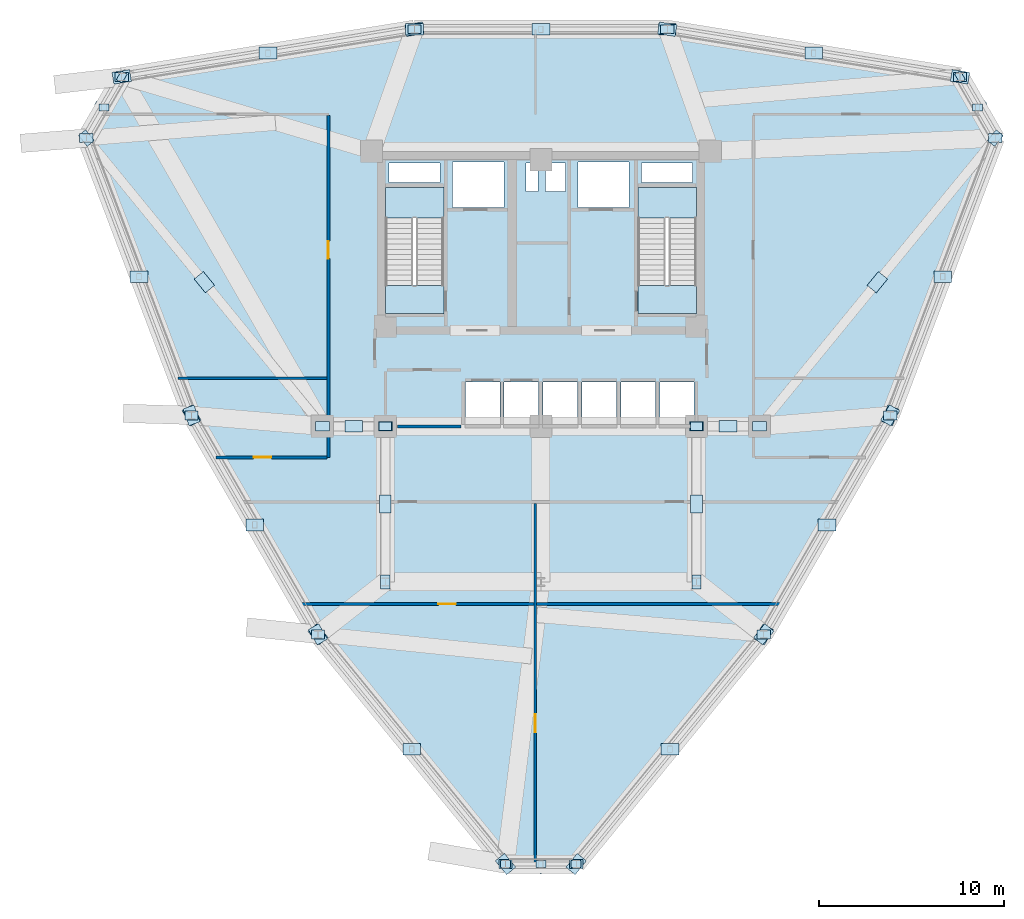
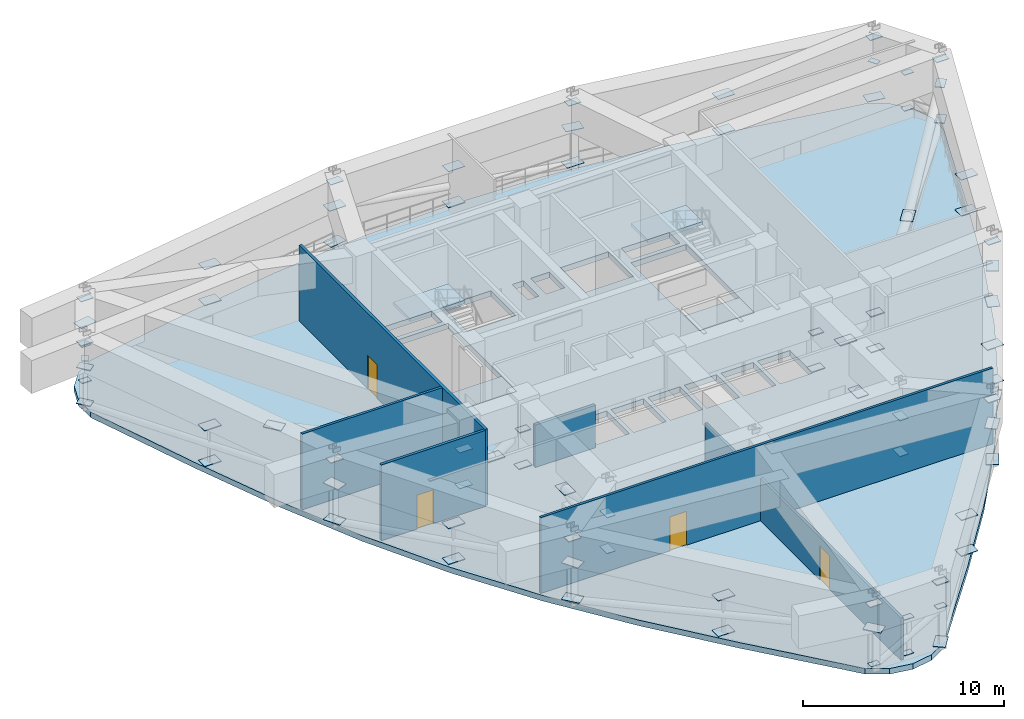
# One storey, part 7 of 13: 78 plates, 6 walls, 5 slabs, 4 doors, 4 openings, 2 elements without a shape of their own.
"""IFC4 building model written with IfcOpenShell, lengths in metres."""

from ifc_helpers import new_model, si_unit, derived_unit, direction, frame, frame_2d, origin, origin_2d, place, context, subcontext, project, spatial, polyline, rectangle, outline, extrude, source, transform, mapped, material, layer, layer_set, type_object, element, fill, aggregate, save


model = new_model("IFC4")

# Units and contexts
model_context = context("Model", 3, precision=1e-05, world=origin(), true_north=direction((0.0, 1.0)))
body_context = subcontext(model_context, "Body", "Model", "MODEL_VIEW")
ifc_project = project(units=[si_unit("LENGTHUNIT", "METRE"), si_unit("AREAUNIT", "SQUARE_METRE"), si_unit("VOLUMEUNIT", "CUBIC_METRE"), si_unit("PLANEANGLEUNIT", "RADIAN"), si_unit("MASSUNIT", "GRAM", prefix="KILO"), derived_unit("THERMALTRANSMITTANCEUNIT", [(si_unit("POWERUNIT", "WATT"), 1), (si_unit("LENGTHUNIT", "METRE"), -2), (si_unit("THERMODYNAMICTEMPERATUREUNIT", "KELVIN"), -1)])], contexts=[model_context])

# Site, building, storey
site_placement = place(None, origin())
site = spatial("IfcSite", under=ifc_project, at=site_placement, CompositionType="ELEMENT")
building_placement = place(site_placement, origin())
building = spatial("IfcBuilding", under=site, at=building_placement, Name="Korsvarv Bourse and Concert Hall", CompositionType="ELEMENT")
storey_placement = place(building_placement, frame((0.0, 0.0, 131.39990234375)))
storey = spatial("IfcBuildingStorey", under=building, at=storey_placement, Name="L33", CompositionType="ELEMENT", Elevation=131.39990234375)

# Slabs
ifc_material_1 = material(Name="Precast concrete C45/55", Category="concrete")
ifc_layer_1 = layer(ifc_material_1, 0.199951171875)
ifc_layer_set_1 = layer_set([ifc_layer_1], Name="Precast concrete C45/55")
slab_type_1 = type_object("IfcSlabType", Name="SLB-FLND-T", PredefinedType="LANDING", material=ifc_layer_set_1)
slab_1_placement = place(storey_placement, frame((0.0, 0.0, -0.199951171875)))
element("IfcSlab", 1, at=slab_1_placement, inside=storey, type_object=slab_type_1, Name="L33 Stair ST-T1 Floor Landing Slab", PredefinedType="LANDING", context=body_context, shape_type="SweptSolid", body=[
    extrude(outline(polyline([(30.760009765625, 38.5), (30.760009765625, 40.0), (27.60009765625, 40.0), (27.60009765625, 38.5), (30.760009765625, 38.5)])), origin(), (0.0, 0.0, 1.0), 0.199951171875),
])
slab_2_placement = place(storey_placement, frame((0.0, 0.0, -0.199951171875)))
element("IfcSlab", 2, at=slab_2_placement, inside=storey, type_object=slab_type_1, Name="L33 Stair ST-T2 Floor Landing Slab", PredefinedType="LANDING", context=body_context, shape_type="SweptSolid", body=[
    extrude(outline(polyline([(44.39990234375, 38.5), (44.39990234375, 40.0), (41.239990234375, 40.0), (41.239990234375, 38.5), (44.39990234375, 38.5)])), origin(), (0.0, 0.0, 1.0), 0.199951171875),
])
ifc_material_2 = material(Name="Concrete C55/67", Category="concrete")
ifc_layer_2 = layer(ifc_material_2, 0.340087890625)
ifc_layer_set_2 = layer_set([ifc_layer_2], Name="Concrete C55/67")
slab_type_2 = type_object("IfcSlabType", Name="SLB-REF", PredefinedType="FLOOR", material=ifc_layer_set_2)
slab_3_placement = place(storey_placement, frame((0.0, 0.0, -0.33984375)))
element("IfcSlab", 3, at=slab_3_placement, inside=storey, type_object=slab_type_2, Name="L33 tower structural floor slab", PredefinedType="FLOOR", context=body_context, shape_type="SweptSolid", body=[
    extrude(outline(polyline([(59.994140625, 46.2314453125), (58.197265625, 41.2158203125), (56.282958984375, 36.29345703125), (54.14501953125, 31.52001953125), (51.7109375, 26.92919921875), (48.9521484375, 22.52587890625), (45.887451171875, 18.287841796875), (42.58154296875, 14.168701171875), (39.13623046875, 10.104736328125), (39.133544921875, 10.101318359375), (38.251708984375, 9.050537109375), (37.197998046875, 8.442138671875), (36.0, 8.23095703125), (34.802001953125, 8.442138671875), (33.748291015625, 9.050537109375), (32.866455078125, 10.101318359375), (32.86376953125, 10.104736328125), (29.41845703125, 14.168701171875), (26.112548828125, 18.287841796875), (23.0478515625, 22.52587890625), (20.2890625, 26.92919921875), (17.85498046875, 31.52001953125), (15.717041015625, 36.29345703125), (13.802734375, 41.2158203125), (12.005859375, 46.2314453125), (12.00439453125, 46.235595703125), (11.53515625, 47.524658203125), (11.53515625, 48.7412109375), (11.951416015625, 49.884521484375), (12.7333984375, 50.81640625), (13.786865234375, 51.4248046875), (15.1376953125, 51.6630859375), (15.14208984375, 51.663818359375), (20.384521484375, 52.615478515625), (25.6044921875, 53.4189453125), (30.807373046875, 53.953857421875), (36.0, 54.141357421875), (41.192626953125, 53.953857421875), (46.3955078125, 53.4189453125), (51.615478515625, 52.615478515625), (56.85791015625, 51.663818359375), (56.8623046875, 51.6630859375), (58.213134765625, 51.4248046875), (59.2666015625, 50.81640625), (60.048583984375, 49.884521484375), (60.46484375, 48.7412109375), (60.46484375, 47.524658203125), (59.99560546875, 46.235595703125), (59.994140625, 46.2314453125)]), holes=[polyline([(30.760009765625, 38.5), (30.760009765625, 45.300048828125), (27.60009765625, 45.300048828125), (27.60009765625, 38.5), (30.760009765625, 38.5)]), polyline([(44.39990234375, 38.5), (44.39990234375, 45.300048828125), (41.239990234375, 45.300048828125), (41.239990234375, 38.5), (44.39990234375, 38.5)]), polyline([(31.239990234375, 44.219970703125), (34.0, 44.219970703125), (34.0, 46.679931640625), (31.239990234375, 46.679931640625), (31.239990234375, 44.219970703125)]), polyline([(38.0, 44.219970703125), (40.760009765625, 44.219970703125), (40.760009765625, 46.679931640625), (38.0, 46.679931640625), (38.0, 44.219970703125)]), polyline([(31.919921875, 32.52001953125), (33.780029296875, 32.52001953125), (33.780029296875, 34.780029296875), (31.919921875, 34.780029296875), (31.919921875, 32.52001953125)]), polyline([(34.02001953125, 32.52001953125), (35.8798828125, 32.52001953125), (35.8798828125, 34.780029296875), (34.02001953125, 34.780029296875), (34.02001953125, 32.52001953125)]), polyline([(36.1201171875, 32.52001953125), (37.97998046875, 32.52001953125), (37.97998046875, 34.780029296875), (36.1201171875, 34.780029296875), (36.1201171875, 32.52001953125)]), polyline([(38.219970703125, 32.52001953125), (40.080078125, 32.52001953125), (40.080078125, 34.780029296875), (38.219970703125, 34.780029296875), (38.219970703125, 32.52001953125)]), polyline([(40.320068359375, 32.52001953125), (42.179931640625, 32.52001953125), (42.179931640625, 34.780029296875), (40.320068359375, 34.780029296875), (40.320068359375, 32.52001953125)]), polyline([(42.419921875, 32.52001953125), (44.280029296875, 32.52001953125), (44.280029296875, 34.780029296875), (42.419921875, 34.780029296875), (42.419921875, 32.52001953125)]), polyline([(27.800048828125, 45.56005859375), (30.56005859375, 45.56005859375), (30.56005859375, 46.6201171875), (27.800048828125, 46.6201171875), (27.800048828125, 45.56005859375)]), polyline([(41.43994140625, 45.56005859375), (44.199951171875, 45.56005859375), (44.199951171875, 46.6201171875), (41.43994140625, 46.6201171875), (41.43994140625, 45.56005859375)]), polyline([(35.199951171875, 45.080078125), (35.840087890625, 45.080078125), (35.840087890625, 46.6201171875), (35.199951171875, 46.6201171875), (35.199951171875, 45.080078125)]), polyline([(36.239990234375, 45.080078125), (37.320068359375, 45.080078125), (37.320068359375, 46.6201171875), (36.239990234375, 46.6201171875), (36.239990234375, 45.080078125)])]), origin(), (0.0, 0.0, 1.0), 0.33984375),
])

# Stair, slab
stair_type = type_object("IfcStairType", Name="STR-TYPE-02", PredefinedType="HALF_TURN_STAIR", material=ifc_material_1)
stair_1_placement = place(storey_placement, origin())
stair_1 = element("IfcStair", 4, at=stair_1_placement, inside=storey, type_object=stair_type, Name="L33 Tower West Exit Stair ST-T1", PredefinedType="HALF_TURN_STAIR")
ifc_layer_3 = layer(ifc_material_1, 0.199951171875)
ifc_layer_set_3 = layer_set([ifc_layer_3], Name="Precast concrete C45/55")
slab_type_3 = type_object("IfcSlabType", Name="SLB-ST-LND", PredefinedType="LANDING", material=ifc_layer_set_3)
slab_4_placement = place(storey_placement, frame((0.0, 0.0, 2.2001953125)))
slab_4 = element("IfcSlab", 5, at=slab_4_placement, type_object=slab_type_3, Name="ST-T1 landing 1", PredefinedType="LANDING", context=body_context, shape_type="SweptSolid", body=[
    extrude(outline(polyline([(30.760009765625, 43.639892578125), (30.760009765625, 45.300048828125), (27.60009765625, 45.300048828125), (27.60009765625, 43.639892578125), (30.760009765625, 43.639892578125)])), origin(), (0.0, 0.0, 1.0), 0.199951171875),
])
aggregate(stair_1, [slab_4])

stair_2_placement = place(storey_placement, origin())
stair_2 = element("IfcStair", 6, at=stair_2_placement, inside=storey, type_object=stair_type, Name="L33 Tower East Exit Stair ST-T2", PredefinedType="HALF_TURN_STAIR")
slab_5_placement = place(storey_placement, frame((0.0, 0.0, 2.2001953125)))
slab_5 = element("IfcSlab", 7, at=slab_5_placement, type_object=slab_type_3, Name="ST-T2 landing 1", PredefinedType="LANDING", context=body_context, shape_type="SweptSolid", body=[
    extrude(outline(polyline([(44.39990234375, 43.639892578125), (44.39990234375, 45.300048828125), (41.239990234375, 45.300048828125), (41.239990234375, 43.639892578125), (44.39990234375, 43.639892578125)])), origin(), (0.0, 0.0, 1.0), 0.199951171875),
])
aggregate(stair_2, [slab_5])

# Plates
ifc_material_3 = material(Name="Steel S460", Category="steel")
ifc_layer_4 = layer(ifc_material_3, 0.033935546875)
ifc_layer_set_4 = layer_set([ifc_layer_4], Name="Steel S460")
plate_type_1 = type_object("IfcPlateType", Name="PLT-KN5", PredefinedType="SHEET", material=ifc_layer_set_4)
shared_shape_1 = source(origin(), body_context, "Body", "SweptSolid", [
    extrude(rectangle(XDim=0.719970703125, YDim=0.47998046875, at=origin_2d()), origin(), (0.0, 0.0, 1.0), 0.033935546875),
])
for number, where, z_axis, x_axis, name in (
    (8, (60.541748046875, 47.966064453125, 4.0029296875), (0.0, 0.0, 1.0), (1.0, 0.0, 0.0), "L33 Block-Shift Transfer Splice Plate KN5-1"),
    (9, (58.6337890625, 51.270751953125, 4.0029296875), (0.0, 0.0, 1.0), (1.0, 0.0, 0.0), "L33 Block-Shift Transfer Splice Plate KN5-2"),
    (10, (42.82666015625, 53.84130859375, 4.0029296875), (0.0, 0.0, 1.0), (1.0, 0.0, 0.0), "L33 Block-Shift Transfer Splice Plate KN5-3"),
    (11, (29.17333984375, 53.84130859375, 4.0029296875), (0.0, 0.0, 1.0), (1.0, 0.0, 0.0), "L33 Block-Shift Transfer Splice Plate KN5-4"),
    (12, (13.3662109375, 51.270751953125, 4.0029296875), (0.0, 0.0, 1.0), (1.0, 0.0, 0.0), "L33 Block-Shift Transfer Splice Plate KN5-5"),
    (13, (11.458251953125, 47.966064453125, 4.0029296875), (0.0, 0.0, 1.0), (1.0, 0.0, 0.0), "L33 Block-Shift Transfer Splice Plate KN5-6"),
    (14, (17.1357421875, 32.991455078125, 4.0029296875), (0.0, 0.0, 1.0), (1.0, 0.0, 0.0), "L33 Block-Shift Transfer Splice Plate KN5-7"),
    (15, (23.96240234375, 21.167236328125, 4.0029296875), (0.0, 0.0, 1.0), (1.0, 0.0, 0.0), "L33 Block-Shift Transfer Splice Plate KN5-8"),
    (16, (34.092041015625, 8.76318359375, 4.0029296875), (0.0, 0.0, 1.0), (1.0, 0.0, 0.0), "L33 Block-Shift Transfer Splice Plate KN5-9"),
    (17, (37.907958984375, 8.76318359375, 4.0029296875), (0.0, 0.0, 1.0), (1.0, 0.0, 0.0), "L33 Block-Shift Transfer Splice Plate KN5-10"),
    (18, (48.03759765625, 21.167236328125, 4.0029296875), (0.0, 0.0, 1.0), (1.0, 0.0, 0.0), "L33 Block-Shift Transfer Splice Plate KN5-11"),
    (19, (54.8642578125, 32.991455078125, 4.0029296875), (0.0, 0.0, 1.0), (1.0, 0.0, 0.0), "L33 Block-Shift Transfer Splice Plate KN5-12"),
):
    element("IfcPlate", number, at=place(storey_placement, frame(where, z_axis=z_axis, x_axis=x_axis)), inside=storey, type_object=plate_type_1, Name=name, PredefinedType="SHEET", context=body_context, shape_type="MappedRepresentation", body=[
        mapped(shared_shape_1, transform((0.0, 0.0, 0.0), scale=1.0)),
    ])
ifc_layer_5 = layer(ifc_material_3, 0.034912109375)
ifc_layer_set_5 = layer_set([ifc_layer_5], Name="Steel S460")
plate_type_2 = type_object("IfcPlateType", Name="PLT-KN1", PredefinedType="SHEET", material=ifc_layer_set_5)
shared_shape_2 = source(origin(), body_context, "Body", "SweptSolid", [
    extrude(rectangle(XDim=0.75, YDim=0.5, at=origin_2d()), origin(), (0.0, 0.0, 1.0), 0.034912109375),
])
for number, where, z_axis, x_axis, name in (
    (20, (27.60009765625, 32.39990234375, 0.33251953125), (0.0, 0.0, 1.0), (1.0, 0.0, 0.0), "L33 node cap plate KN1"),
    (21, (24.199951171875, 32.39990234375, 0.33251953125), (0.0, 0.0, 1.0), (1.0, 0.0, 0.0), "L33 node cap plate KN1"),
    (22, (24.199951171875, 32.39990234375, 2.50244140625), (0.0, 0.0, 1.0), (1.0, 0.0, 0.0), "L33 node cap plate KN1"),
    (23, (11.458251953125, 47.966064453125, 0.33251953125), (0.0, 0.0, 1.0), (-0.633380872628, 0.773840209727, 0.0), "L33 node cap plate KN1"),
    (24, (11.458251953125, 47.966064453125, 2.50244140625), (0.0, 0.0, 1.0), (-0.633380872628, 0.773840209727, 0.0), "L33 node cap plate KN1"),
    (25, (44.39990234375, 32.39990234375, 0.33251953125), (0.0, 0.0, 1.0), (1.0, 0.0, 0.0), "L33 node cap plate KN1"),
    (26, (47.800048828125, 32.39990234375, 0.33251953125), (0.0, 0.0, 1.0), (1.0, 0.0, 0.0), "L33 node cap plate KN1"),
    (27, (47.800048828125, 32.39990234375, 2.50244140625), (0.0, 0.0, 1.0), (1.0, 0.0, 0.0), "L33 node cap plate KN1"),
    (28, (60.541748046875, 47.966064453125, 0.33251953125), (0.0, 0.0, 1.0), (0.633380872628, 0.773840209727, 0.0), "L33 node cap plate KN1"),
    (29, (60.541748046875, 47.966064453125, 2.50244140625), (0.0, 0.0, 1.0), (0.633380872628, 0.773840209727, 0.0), "L33 node cap plate KN1"),
    (30, (27.60009765625, 24.0, 0.33251953125), (0.0, 0.0, 1.0), (0.0, 1.0, 0.0), "L33 node cap plate KN1"),
    (31, (27.60009765625, 24.0, 2.50244140625), (0.0, 0.0, 1.0), (0.0, 1.0, 0.0), "L33 node cap plate KN1"),
    (32, (44.39990234375, 24.0, 0.33251953125), (0.0, 0.0, 1.0), (0.0, 1.0, 0.0), "L33 node cap plate KN1"),
    (33, (44.39990234375, 24.0, 2.50244140625), (0.0, 0.0, 1.0), (0.0, 1.0, 0.0), "L33 node cap plate KN1"),
):
    element("IfcPlate", number, at=place(storey_placement, frame(where, z_axis=z_axis, x_axis=x_axis)), inside=storey, type_object=plate_type_2, Name=name, PredefinedType="SHEET", context=body_context, shape_type="MappedRepresentation", body=[
        mapped(shared_shape_2, transform((0.0, 0.0, 0.0), scale=1.0)),
    ])
ifc_layer_6 = layer(ifc_material_3, 0.028076171875)
ifc_layer_set_6 = layer_set([ifc_layer_6], Name="Steel S460")
plate_type_3 = type_object("IfcPlateType", Name="PLT-KN3", PredefinedType="SHEET", material=ifc_layer_set_6)
shared_shape_3 = source(origin(), body_context, "Body", "SweptSolid", [
    extrude(rectangle(XDim=0.9599609375, YDim=0.639892578125, at=origin_2d()), origin(), (0.0, 0.0, 1.0), 0.028076171875),
])
for number, where, z_axis, x_axis, name in (
    (34, (25.89990234375, 32.39990234375, 1.4208984375), (0.0, 0.0, 1.0), (1.0, 0.0, 0.0), "L33 node cap plate KN3"),
    (35, (17.8291015625, 40.18310546875, 1.4208984375), (0.0, 0.0, 1.0), (-0.633380872628, 0.773840209727, 0.0), "L33 node cap plate KN3"),
    (36, (46.10009765625, 32.39990234375, 1.4208984375), (0.0, 0.0, 1.0), (1.0, 0.0, 0.0), "L33 node cap plate KN3"),
    (37, (54.1708984375, 40.18310546875, 1.4208984375), (0.0, 0.0, 1.0), (0.633380872628, 0.773840209727, 0.0), "L33 node cap plate KN3"),
    (38, (27.60009765625, 28.199951171875, 1.4208984375), (0.0, 0.0, 1.0), (0.0, 1.0, 0.0), "L33 node cap plate KN3"),
    (39, (44.39990234375, 28.199951171875, 1.4208984375), (0.0, 0.0, 1.0), (0.0, 1.0, 0.0), "L33 node cap plate KN3"),
    (40, (58.6337890625, 51.270751953125, 0.3359375), (0.0, 0.0, 1.0), (-0.987024406397, 0.160570299793, 0.0), "L33 node cap plate KN3"),
    (41, (42.82666015625, 53.84130859375, 2.505859375), (0.0, 0.0, 1.0), (-0.987024406397, 0.160570299793, 0.0), "L33 node cap plate KN3"),
    (42, (50.730224609375, 52.555908203125, 0.3359375), (0.0, 0.0, 1.0), (1.0, 0.0, 0.0), "L33 node cap plate KN3"),
    (43, (50.730224609375, 52.555908203125, 2.505859375), (0.0, 0.0, 1.0), (1.0, 0.0, 0.0), "L33 node cap plate KN3"),
    (44, (42.82666015625, 53.84130859375, 0.3359375), (0.0, 0.0, 1.0), (1.0, 0.0, 0.0), "L33 node cap plate KN3"),
    (45, (29.17333984375, 53.84130859375, 2.505859375), (0.0, 0.0, 1.0), (1.0, 0.0, 0.0), "L33 node cap plate KN3"),
    (46, (36.0, 53.84130859375, 0.3359375), (0.0, 0.0, 1.0), (1.0, 0.0, 0.0), "L33 node cap plate KN3"),
    (47, (36.0, 53.84130859375, 2.505859375), (0.0, 0.0, 1.0), (1.0, 0.0, 0.0), "L33 node cap plate KN3"),
    (48, (29.17333984375, 53.84130859375, 0.3359375), (0.0, 0.0, 1.0), (0.987024406397, 0.160570299793, 0.0), "L33 node cap plate KN3"),
    (49, (13.3662109375, 51.270751953125, 2.505859375), (0.0, 0.0, 1.0), (0.987024406397, 0.160570299793, 0.0), "L33 node cap plate KN3"),
    (50, (21.269775390625, 52.555908203125, 0.3359375), (0.0, 0.0, 1.0), (1.0, 0.0, 0.0), "L33 node cap plate KN3"),
    (51, (21.269775390625, 52.555908203125, 2.505859375), (0.0, 0.0, 1.0), (1.0, 0.0, 0.0), "L33 node cap plate KN3"),
    (52, (17.1357421875, 32.991455078125, 2.505859375), (0.0, 0.0, 1.0), (-0.354454244484, 0.935073359992, 0.0), "L33 node cap plate KN3"),
    (53, (14.296875, 40.478759765625, 0.3359375), (0.0, 0.0, 1.0), (1.0, 0.0, 0.0), "L33 node cap plate KN3"),
    (54, (14.296875, 40.478759765625, 2.505859375), (0.0, 0.0, 1.0), (1.0, 0.0, 0.0), "L33 node cap plate KN3"),
    (55, (17.1357421875, 32.991455078125, 0.3359375), (0.0, 0.0, 1.0), (-0.5, 0.866025403784, 0.0), "L33 node cap plate KN3"),
    (56, (23.96240234375, 21.167236328125, 2.505859375), (0.0, 0.0, 1.0), (-0.5, 0.866025403784, 0.0), "L33 node cap plate KN3"),
    (57, (20.549072265625, 27.079345703125, 0.3359375), (0.0, 0.0, 1.0), (1.0, 0.0, 0.0), "L33 node cap plate KN3"),
    (58, (20.549072265625, 27.079345703125, 2.505859375), (0.0, 0.0, 1.0), (1.0, 0.0, 0.0), "L33 node cap plate KN3"),
    (59, (23.96240234375, 21.167236328125, 0.3359375), (0.0, 0.0, 1.0), (-0.632570161913, 0.774503060199, 0.0), "L33 node cap plate KN3"),
    (60, (34.092041015625, 8.76318359375, 2.505859375), (0.0, 0.0, 1.0), (-0.632570161913, 0.774503060199, 0.0), "L33 node cap plate KN3"),
    (61, (29.027099609375, 14.965087890625, 0.3359375), (0.0, 0.0, 1.0), (1.0, 0.0, 0.0), "L33 node cap plate KN3"),
    (62, (29.027099609375, 14.965087890625, 2.505859375), (0.0, 0.0, 1.0), (1.0, 0.0, 0.0), "L33 node cap plate KN3"),
    (63, (37.907958984375, 8.76318359375, 0.3359375), (0.0, 0.0, 1.0), (0.632570161913, 0.774503060199, 0.0), "L33 node cap plate KN3"),
    (64, (48.03759765625, 21.167236328125, 2.505859375), (0.0, 0.0, 1.0), (0.632570161913, 0.774503060199, 0.0), "L33 node cap plate KN3"),
    (65, (42.972900390625, 14.965087890625, 0.3359375), (0.0, 0.0, 1.0), (1.0, 0.0, 0.0), "L33 node cap plate KN3"),
    (66, (42.972900390625, 14.965087890625, 2.505859375), (0.0, 0.0, 1.0), (1.0, 0.0, 0.0), "L33 node cap plate KN3"),
    (67, (48.03759765625, 21.167236328125, 0.3359375), (0.0, 0.0, 1.0), (0.5, 0.866025403784, 0.0), "L33 node cap plate KN3"),
    (68, (54.8642578125, 32.991455078125, 2.505859375), (0.0, 0.0, 1.0), (0.5, 0.866025403784, 0.0), "L33 node cap plate KN3"),
    (69, (51.450927734375, 27.079345703125, 0.3359375), (0.0, 0.0, 1.0), (1.0, 0.0, 0.0), "L33 node cap plate KN3"),
    (70, (51.450927734375, 27.079345703125, 2.505859375), (0.0, 0.0, 1.0), (1.0, 0.0, 0.0), "L33 node cap plate KN3"),
    (71, (54.8642578125, 32.991455078125, 0.3359375), (0.0, 0.0, 1.0), (0.354454244484, 0.935073359992, 0.0), "L33 node cap plate KN3"),
    (72, (57.703125, 40.478759765625, 0.3359375), (0.0, 0.0, 1.0), (1.0, 0.0, 0.0), "L33 node cap plate KN3"),
    (73, (57.703125, 40.478759765625, 2.505859375), (0.0, 0.0, 1.0), (1.0, 0.0, 0.0), "L33 node cap plate KN3"),
):
    element("IfcPlate", number, at=place(storey_placement, frame(where, z_axis=z_axis, x_axis=x_axis)), inside=storey, type_object=plate_type_3, Name=name, PredefinedType="SHEET", context=body_context, shape_type="MappedRepresentation", body=[
        mapped(shared_shape_3, transform((0.0, 0.0, 0.0), scale=1.0)),
    ])
ifc_layer_7 = layer(ifc_material_3, 0.031982421875)
ifc_layer_set_7 = layer_set([ifc_layer_7], Name="Steel S460")
plate_type_4 = type_object("IfcPlateType", Name="PLT-KN2", PredefinedType="SHEET", material=ifc_layer_set_7)
shared_shape_4 = source(origin(), body_context, "Body", "SweptSolid", [
    extrude(rectangle(XDim=0.659912109375, YDim=0.43994140625, at=origin_2d()), origin(), (0.0, 0.0, 1.0), 0.031982421875),
])
for number, where, z_axis, x_axis, name in (
    (74, (27.60009765625, 32.39990234375, 2.50390625), (0.0, 0.0, 1.0), (1.0, 0.0, 0.0), "L33 node cap plate KN2"),
    (75, (44.39990234375, 32.39990234375, 2.50390625), (0.0, 0.0, 1.0), (1.0, 0.0, 0.0), "L33 node cap plate KN2"),
):
    element("IfcPlate", number, at=place(storey_placement, frame(where, z_axis=z_axis, x_axis=x_axis)), inside=storey, type_object=plate_type_4, Name=name, PredefinedType="SHEET", context=body_context, shape_type="MappedRepresentation", body=[
        mapped(shared_shape_4, transform((0.0, 0.0, 0.0), scale=1.0)),
    ])
ifc_layer_8 = layer(ifc_material_3, 0.02587890625)
ifc_layer_set_8 = layer_set([ifc_layer_8], Name="Steel S460")
plate_type_5 = type_object("IfcPlateType", Name="PLT-KN4", PredefinedType="SHEET", material=ifc_layer_set_8)
shared_shape_5 = source(origin(), body_context, "Body", "SweptSolid", [
    extrude(rectangle(XDim=0.5400390625, YDim=0.360107421875, at=origin_2d()), origin(), (0.0, 0.0, 1.0), 0.02587890625),
])
for number, where, z_axis, x_axis, name in (
    (76, (58.6337890625, 51.270751953125, 2.507080078125), (0.0, 0.0, 1.0), (-0.5, 0.866025403784, 0.0), "L33 node cap plate KN4"),
    (77, (59.587890625, 49.618408203125, 0.337158203125), (0.0, 0.0, 1.0), (1.0, 0.0, 0.0), "L33 node cap plate KN4"),
    (78, (59.587890625, 49.618408203125, 2.507080078125), (0.0, 0.0, 1.0), (1.0, 0.0, 0.0), "L33 node cap plate KN4"),
    (79, (13.3662109375, 51.270751953125, 0.337158203125), (0.0, 0.0, 1.0), (0.5, 0.866025403784, 0.0), "L33 node cap plate KN4"),
    (80, (12.412109375, 49.618408203125, 0.337158203125), (0.0, 0.0, 1.0), (1.0, 0.0, 0.0), "L33 node cap plate KN4"),
    (81, (12.412109375, 49.618408203125, 2.507080078125), (0.0, 0.0, 1.0), (1.0, 0.0, 0.0), "L33 node cap plate KN4"),
    (82, (34.092041015625, 8.76318359375, 0.337158203125), (0.0, 0.0, 1.0), (1.0, 0.0, 0.0), "L33 node cap plate KN4"),
    (83, (37.907958984375, 8.76318359375, 2.507080078125), (0.0, 0.0, 1.0), (1.0, 0.0, 0.0), "L33 node cap plate KN4"),
    (84, (36.0, 8.76318359375, 0.337158203125), (0.0, 0.0, 1.0), (1.0, 0.0, 0.0), "L33 node cap plate KN4"),
    (85, (36.0, 8.76318359375, 2.507080078125), (0.0, 0.0, 1.0), (1.0, 0.0, 0.0), "L33 node cap plate KN4"),
):
    element("IfcPlate", number, at=place(storey_placement, frame(where, z_axis=z_axis, x_axis=x_axis)), inside=storey, type_object=plate_type_5, Name=name, PredefinedType="SHEET", context=body_context, shape_type="MappedRepresentation", body=[
        mapped(shared_shape_5, transform((0.0, 0.0, 0.0), scale=1.0)),
    ])

# Wall
ifc_material_4 = material(Name="Double-stud fire-rated acoustic partition", Category="gypsum")
ifc_layer_9 = layer(ifc_material_4, 0.159912109375)
ifc_layer_set_9 = layer_set([ifc_layer_9], Name="Double-stud fire-rated acoustic partition")
wall_type_1 = type_object("IfcWallType", Name="WL-INT-EI60", PredefinedType="PARTITIONING", material=ifc_layer_set_9)
wall_1_placement = place(storey_placement, frame((28.25, 32.39990234375, 0.0), z_axis=(0.0, 0.0, 1.0), x_axis=(1.0, 0.0, 0.0)))
element("IfcWall", 86, at=wall_1_placement, inside=storey, type_object=wall_type_1, Name="L33 interior partition wall W-L33-FRD-S", PredefinedType="PARTITIONING", context=body_context, shape_type="SweptSolid", body=[
    extrude(rectangle(XDim=3.449951171875, YDim=0.159912109375, at=frame_2d((1.72509765625, 0.0))), origin(), (0.0, 0.0, 1.0), 2.570068359375),
])

# Wall, opening, door
wall_2_placement = place(storey_placement, frame((24.52490234375, 30.719970703125, 0.0), z_axis=(0.0, 0.0, 1.0), x_axis=(0.0, 1.0, 0.0)))
wall_2 = element("IfcWall", 87, at=wall_2_placement, inside=storey, type_object=wall_type_1, Name="L33 interior partition wall W-L33-RCOR-03", PredefinedType="PARTITIONING", context=body_context, shape_type="SweptSolid", body=[
    extrude(rectangle(XDim=18.463134765625, YDim=0.159912109375, at=frame_2d((9.2314453125, 0.0))), origin(), (0.0, 0.0, 1.0), 4.60009765625),
])
opening_1_placement = place(wall_2_placement, frame((10.73388671875, 0.0, 0.0)))
opening_1 = element("IfcOpeningElement", 88, at=opening_1_placement, cuts=wall_2, Name="Opening D-02", PredefinedType="OPENING", context=body_context, shape_type="SweptSolid", body=[
    extrude(rectangle(XDim=0.949951171875, YDim=2.050048828125, at=frame_2d((0.47509765625, 1.02490234375))), frame((0.0, 0.08984375, 0.0), z_axis=(0.0, -1.0, 0.0), x_axis=(1.0, 0.0, 0.0)), (0.0, 0.0, 1.0), 0.179931640625),
])
ifc_material_5 = material(Name="Timber and steel acoustic fire door", Category="wood")
door_type_1 = type_object("IfcDoorType", Name="DR-FD30", OperationType="NOTDEFINED", PredefinedType="DOOR", material=ifc_material_5)
door_1_placement = place(opening_1_placement, origin())
door_1 = element("IfcDoor", 89, at=door_1_placement, inside=storey, type_object=door_type_1, Name="L33 interior door DR-L33-RCOR-REFW3", OperationType="SINGLE_SWING_RIGHT", OverallHeight=2.050048828125, OverallWidth=0.949951171875, PredefinedType="DOOR", context=body_context, shape_type="SweptSolid", body=[
    extrude(rectangle(XDim=0.949951171875, YDim=2.050048828125, at=frame_2d((0.47509765625, 1.02490234375))), frame((0.0, 0.02490234375, 0.0), z_axis=(0.0, -1.0, 0.0), x_axis=(1.0, 0.0, 0.0)), (0.0, 0.0, 1.0), 0.050048828125),
])
fill(opening_1, door_1)

wall_3_placement = place(storey_placement, frame((18.46435546875, 30.72509765625, 0.0), z_axis=(0.0, 0.0, 1.0), x_axis=(1.0, 0.0, 0.0)))
wall_3 = element("IfcWall", 90, at=wall_3_placement, inside=storey, type_object=wall_type_1, Name="L33 interior partition wall W-L33-RCOR-05", PredefinedType="PARTITIONING", context=body_context, shape_type="SweptSolid", body=[
    extrude(rectangle(XDim=5.978759765625, YDim=0.159912109375, at=frame_2d((2.9892578125, 0.0))), origin(), (0.0, 0.0, 1.0), 4.60009765625),
])
opening_2_placement = place(wall_3_placement, frame((2.029052734375, 0.0, 0.0)))
opening_2 = element("IfcOpeningElement", 91, at=opening_2_placement, cuts=wall_3, Name="Opening D-02", PredefinedType="OPENING", context=body_context, shape_type="SweptSolid", body=[
    extrude(rectangle(XDim=0.949951171875, YDim=2.050048828125, at=frame_2d((0.47509765625, 1.02490234375))), frame((0.0, 0.08984375, 0.0), z_axis=(0.0, -1.0, 0.0), x_axis=(1.0, 0.0, 0.0)), (0.0, 0.0, 1.0), 0.179931640625),
])
door_2_placement = place(opening_2_placement, origin())
door_2 = element("IfcDoor", 92, at=door_2_placement, inside=storey, type_object=door_type_1, Name="L33 interior door DR-L33-RCOR-PL12", OperationType="SINGLE_SWING_RIGHT", OverallHeight=2.050048828125, OverallWidth=0.949951171875, PredefinedType="DOOR", context=body_context, shape_type="SweptSolid", body=[
    extrude(rectangle(XDim=0.949951171875, YDim=2.050048828125, at=frame_2d((0.47509765625, 1.02490234375))), frame((0.0, 0.02490234375, 0.0), z_axis=(0.0, -1.0, 0.0), x_axis=(1.0, 0.0, 0.0)), (0.0, 0.0, 1.0), 0.050048828125),
])
fill(opening_2, door_2)

ifc_material_6 = material(Name="Insulated steel-stud office acoustic partition", Category="gypsum")
ifc_layer_10 = layer(ifc_material_6, 0.139892578125)
ifc_layer_set_10 = layer_set([ifc_layer_10], Name="Insulated steel-stud office acoustic partition")
wall_type_2 = type_object("IfcWallType", Name="WL-INT-P1", PredefinedType="PARTITIONING", material=ifc_layer_set_10)
wall_4_placement = place(storey_placement, frame((23.037109375, 22.804931640625, 0.0), z_axis=(0.0, 0.0, 1.0), x_axis=(1.0, 0.0, 0.0)))
wall_4 = element("IfcWall", 93, at=wall_4_placement, inside=storey, type_object=wall_type_2, Name="L33 interior partition wall W-L33-RCOR-06", PredefinedType="PARTITIONING", context=body_context, shape_type="SweptSolid", body=[
    extrude(rectangle(XDim=25.92578125, YDim=0.139892578125, at=frame_2d((12.962890625, 0.0))), origin(), (0.0, 0.0, 1.0), 4.60009765625),
])
opening_3_placement = place(wall_4_placement, frame((7.422119140625, 0.0, 0.0)))
opening_3 = element("IfcOpeningElement", 94, at=opening_3_placement, cuts=wall_4, Name="Opening D-03", PredefinedType="OPENING", context=body_context, shape_type="SweptSolid", body=[
    extrude(rectangle(XDim=0.949951171875, YDim=2.050048828125, at=frame_2d((0.47509765625, 1.02490234375))), frame((0.0, 0.080078125, 0.0), z_axis=(0.0, -1.0, 0.0), x_axis=(1.0, 0.0, 0.0)), (0.0, 0.0, 1.0), 0.159912109375),
])
ifc_material_7 = material(Name="Nordic oak acoustic office door", Category="wood")
door_type_2 = type_object("IfcDoorType", Name="DR-INT-1", OperationType="NOTDEFINED", PredefinedType="DOOR", material=ifc_material_7)
door_3_placement = place(opening_3_placement, origin())
door_3 = element("IfcDoor", 95, at=door_3_placement, inside=storey, type_object=door_type_2, Name="L33 interior door DR-L33-RCOR-PL37", OperationType="SINGLE_SWING_LEFT", OverallHeight=2.050048828125, OverallWidth=0.949951171875, PredefinedType="DOOR", context=body_context, shape_type="SweptSolid", body=[
    extrude(rectangle(XDim=0.949951171875, YDim=2.050048828125, at=frame_2d((0.47509765625, 1.02490234375))), frame((0.0, 0.02490234375, 0.0), z_axis=(0.0, -1.0, 0.0), x_axis=(1.0, 0.0, 0.0)), (0.0, 0.0, 1.0), 0.050048828125),
])
fill(opening_3, door_3)

wall_5_placement = place(storey_placement, frame((35.705078125, 8.783203125, 0.0), z_axis=(0.0, 0.0, 1.0), x_axis=(0.0, 1.0, 0.0)))
wall_5 = element("IfcWall", 96, at=wall_5_placement, inside=storey, type_object=wall_type_2, Name="L33 interior partition wall W-L33-RCOR-07", PredefinedType="PARTITIONING", context=body_context, shape_type="SweptSolid", body=[
    extrude(rectangle(XDim=19.459716796875, YDim=0.139892578125, at=frame_2d((9.72998046875, 0.0))), origin(), (0.0, 0.0, 1.0), 2.570068359375),
])
opening_4_placement = place(wall_5_placement, frame((7.10693359375, 0.0, 0.0)))
opening_4 = element("IfcOpeningElement", 97, at=opening_4_placement, cuts=wall_5, Name="Opening D-03", PredefinedType="OPENING", context=body_context, shape_type="SweptSolid", body=[
    extrude(rectangle(XDim=0.949951171875, YDim=2.050048828125, at=frame_2d((0.47509765625, 1.02490234375))), frame((0.0, 0.080078125, 0.0), z_axis=(0.0, -1.0, 0.0), x_axis=(1.0, 0.0, 0.0)), (0.0, 0.0, 1.0), 0.159912109375),
])
door_4_placement = place(opening_4_placement, origin())
door_4 = element("IfcDoor", 98, at=door_4_placement, inside=storey, type_object=door_type_2, Name="L33 interior door DR-L33-RCOR-PL48", OperationType="SINGLE_SWING_RIGHT", OverallHeight=2.050048828125, OverallWidth=0.949951171875, PredefinedType="DOOR", context=body_context, shape_type="SweptSolid", body=[
    extrude(rectangle(XDim=0.949951171875, YDim=2.050048828125, at=frame_2d((0.47509765625, 1.02490234375))), frame((0.0, 0.02490234375, 0.0), z_axis=(0.0, -1.0, 0.0), x_axis=(1.0, 0.0, 0.0)), (0.0, 0.0, 1.0), 0.050048828125),
])
fill(opening_4, door_4)

# Wall
wall_6_placement = place(storey_placement, frame((16.392333984375, 35.0048828125, 0.0), z_axis=(0.0, 0.0, 1.0), x_axis=(1.0, 0.0, 0.0)))
element("IfcWall", 99, at=wall_6_placement, inside=storey, type_object=wall_type_2, Name="L33 interior partition wall W-L33-RCOR-10", PredefinedType="PARTITIONING", context=body_context, shape_type="SweptSolid", body=[
    extrude(rectangle(XDim=8.05078125, YDim=0.139892578125, at=frame_2d((4.025390625, 0.0))), origin(), (0.0, 0.0, 1.0), 4.60009765625),
])

save(model, "model.ifc")
